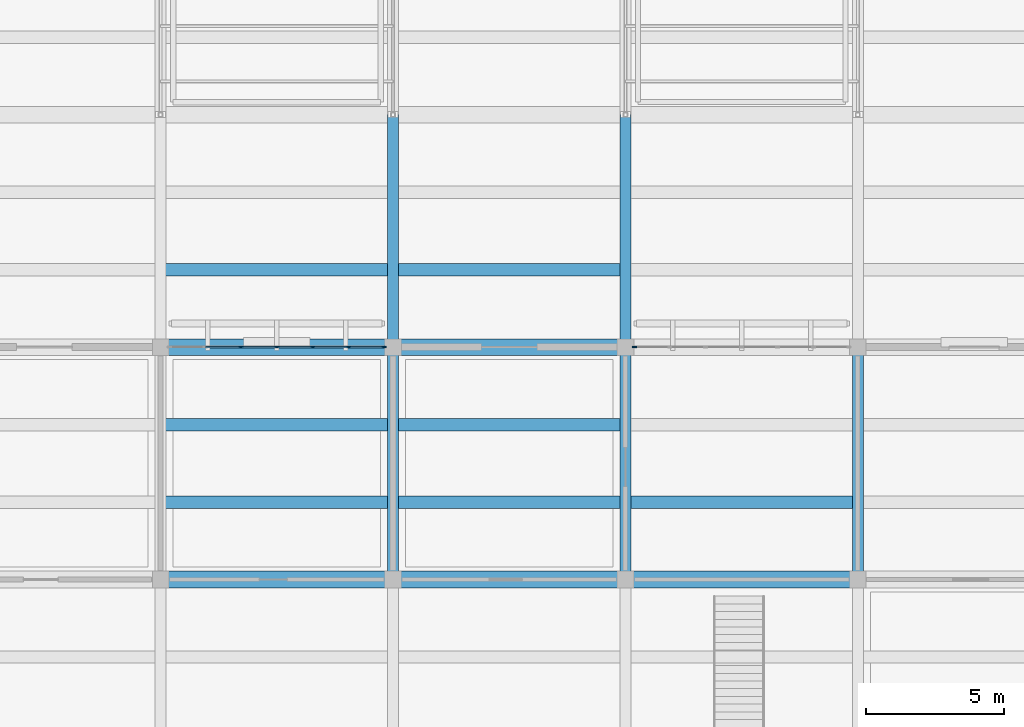
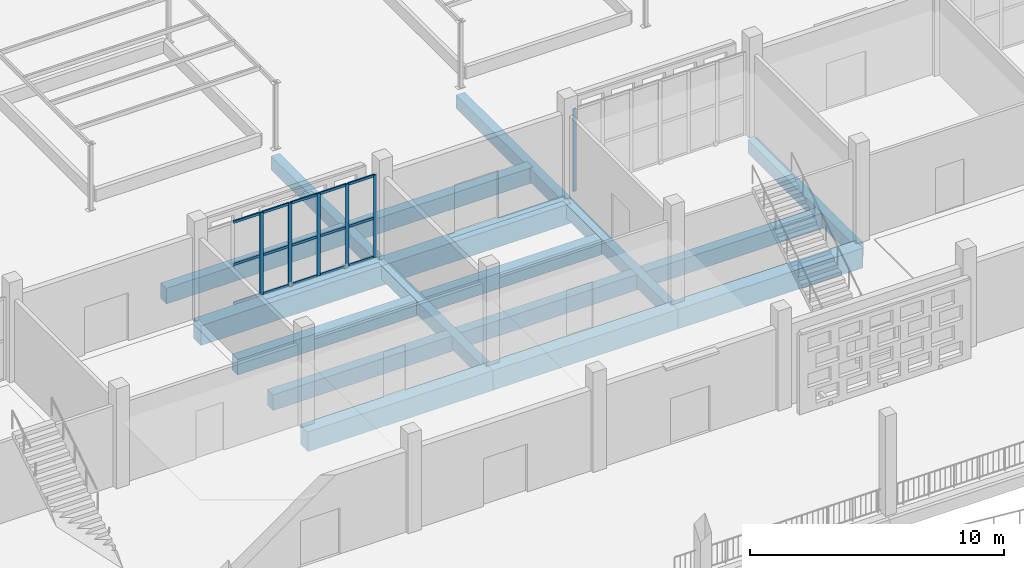
# One storey, part 15 of 129: 21 members, 17 beams, 2 elements without a shape of their own.
"""IFC4 building model written with IfcOpenShell, lengths in metres."""

from ifc_helpers import new_model, si_unit, direction, frame, origin, origin_2d, place, context, subcontext, project, spatial, rectangle, extrude, material, layer, layer_set, material_profile, profile_set, type_object, element, aggregate, save


model = new_model("IFC4")

# Units and contexts
model_context = context("Model", 3, precision=1e-05, world=origin(), true_north=direction((0.0, 1.0)))
body_context = subcontext(model_context, "Body", "Model", "MODEL_VIEW")
ifc_project = project(units=[si_unit("LENGTHUNIT", "METRE"), si_unit("AREAUNIT", "SQUARE_METRE"), si_unit("VOLUMEUNIT", "CUBIC_METRE"), si_unit("PLANEANGLEUNIT", "RADIAN"), si_unit("MASSUNIT", "GRAM", prefix="KILO")], contexts=[model_context])

# Site, building, storey
site_placement = place(None, origin())
site = spatial("IfcSite", under=ifc_project, at=site_placement, CompositionType="ELEMENT")
building_placement = place(site_placement, origin())
building = spatial("IfcBuilding", under=site, at=building_placement, Name="Varnapada Polytechnic", CompositionType="ELEMENT")
storey_placement = place(building_placement, origin())
storey = spatial("IfcBuildingStorey", under=building, at=storey_placement, Name="L00", CompositionType="ELEMENT", Elevation=0.0)

# Beams
ifc_material_1 = material(Name="Concrete C40/50", Category="concrete")
ifc_material_profile_1 = material_profile(ifc_material_1, rectangle(XDim=0.449951171875, YDim=0.75, at=origin_2d()), Name="RC 450x750")
ifc_profile_set_1 = profile_set([ifc_material_profile_1], Name="Concrete C40/50")
beam_type_1 = type_object("IfcBeamType", Name="Basement/podium secondary beam BB-01 (RC 450x750)", PredefinedType="BEAM", material=ifc_profile_set_1)
for number, where, z_axis, x_axis, name in (
    (1, (92.47998046875, 36.39990234375, -0.675048828125), (1.0, 0.0, 0.0), (0.0, 1.0, 0.0), "L00 floor joist 12/5.1"),
    (2, (92.47998046875, 39.199951171875, -0.675048828125), (1.0, 0.0, 0.0), (0.0, 1.0, 0.0), "L00 floor joist 12/5.2"),
    (3, (92.47998046875, 44.800048828125, -0.655029296875), (1.0, 0.0, 0.0), (0.0, 1.0, 0.0), "L00 floor joist 12/6.1"),
):
    element("IfcBeam", number, at=place(storey_placement, frame(where, z_axis=z_axis, x_axis=x_axis)), inside=storey, type_object=beam_type_1, Name=name, PredefinedType="BEAM", context=body_context, shape_type="SweptSolid", body=[
        extrude(rectangle(XDim=0.449951171875, YDim=0.75, at=origin_2d()), origin(), (0.0, 0.0, 1.0), 8.239990234375),
    ])
for number, where, z_axis, x_axis, name in (
    (4, (100.8798828125, 36.39990234375, -0.675048828125), (1.0, 0.0, 0.0), (0.0, 1.0, 0.0), "L00 floor joist 13/5.1"),
    (5, (100.8798828125, 39.199951171875, -0.675048828125), (1.0, 0.0, 0.0), (0.0, 1.0, 0.0), "L00 floor joist 13/5.2"),
    (6, (100.8798828125, 44.800048828125, -0.655029296875), (1.0, 0.0, 0.0), (0.0, 1.0, 0.0), "L00 floor joist 13/6.1"),
):
    element("IfcBeam", number, at=place(storey_placement, frame(where, z_axis=z_axis, x_axis=x_axis)), inside=storey, type_object=beam_type_1, Name=name, PredefinedType="BEAM", context=body_context, shape_type="SweptSolid", body=[
        extrude(rectangle(XDim=0.449951171875, YDim=0.75, at=origin_2d()), origin(), (0.0, 0.0, 1.0), 8.240234375),
    ])
beam_1_placement = place(storey_placement, frame((109.280029296875, 36.39990234375, -0.675048828125), z_axis=(1.0, 0.0, 0.0), x_axis=(0.0, 1.0, 0.0)))
element("IfcBeam", 7, at=beam_1_placement, inside=storey, type_object=beam_type_1, Name="L00 floor joist 14/5.1", PredefinedType="BEAM", context=body_context, shape_type="SweptSolid", body=[
    extrude(rectangle(XDim=0.449951171875, YDim=0.75, at=origin_2d()), origin(), (0.0, 0.0, 1.0), 8.239990234375),
])

# Curtain wall, members
ifc_material_2 = material(Name="Double low-E laminated glass", Category="glass")
ifc_layer = layer(ifc_material_2, 0.159912109375)
ifc_layer_set = layer_set([ifc_layer], Name="Double low-E laminated glass")
curtain_wall_type = type_object("IfcCurtainWallType", Name="Curtain Wall CW-01", PredefinedType="NOTDEFINED", material=ifc_layer_set)
curtain_wall_1_placement = place(storey_placement, origin())
curtain_wall_1 = element("IfcCurtainWall", 8, at=curtain_wall_1_placement, inside=storey, type_object=curtain_wall_type, Name="L00 unitised curtain wall CW-01 (10)", PredefinedType="NOTDEFINED")
ifc_material_3 = material(Name="Anodised aluminium", Category="aluminium")
ifc_material_profile_2 = material_profile(ifc_material_3, rectangle(XDim=0.06005859375, YDim=0.159912109375, at=origin_2d()), Name="ALU M60x160")
ifc_profile_set_2 = profile_set([ifc_material_profile_2], Name="Anodised aluminium")
member_type_1 = type_object("IfcMemberType", Name="Mullion M-01", PredefinedType="MULLION", material=ifc_profile_set_2)
member_1_placement = place(storey_placement, frame((95.300048828125, 42.0, 0.0), z_axis=(0.0, 0.0, 1.0), x_axis=(0.0, 1.0, 0.0)))
member_1 = element("IfcMember", 9, at=member_1_placement, type_object=member_type_1, Name="CW-01 mullion 3", PredefinedType="MULLION", context=body_context, shape_type="SweptSolid", body=[
    extrude(rectangle(XDim=0.06005859375, YDim=0.159912109375, at=origin_2d()), origin(), (0.0, 0.0, 1.0), 3.9599609375),
])
member_2_placement = place(storey_placement, frame((96.60009765625, 42.0, 0.0), z_axis=(0.0, 0.0, 1.0), x_axis=(0.0, 1.0, 0.0)))
member_2 = element("IfcMember", 10, at=member_2_placement, type_object=member_type_1, Name="CW-01 mullion 4", PredefinedType="MULLION", context=body_context, shape_type="SweptSolid", body=[
    extrude(rectangle(XDim=0.06005859375, YDim=0.159912109375, at=origin_2d()), origin(), (0.0, 0.0, 1.0), 3.9599609375),
])
member_3_placement = place(storey_placement, frame((97.89990234375, 42.0, 0.0), z_axis=(0.0, 0.0, 1.0), x_axis=(0.0, 1.0, 0.0)))
member_3 = element("IfcMember", 11, at=member_3_placement, type_object=member_type_1, Name="CW-01 mullion 5", PredefinedType="MULLION", context=body_context, shape_type="SweptSolid", body=[
    extrude(rectangle(XDim=0.06005859375, YDim=0.159912109375, at=origin_2d()), origin(), (0.0, 0.0, 1.0), 3.9599609375),
])
member_4_placement = place(storey_placement, frame((99.199951171875, 42.0, 0.0), z_axis=(0.0, 0.0, 1.0), x_axis=(0.0, 1.0, 0.0)))
member_4 = element("IfcMember", 12, at=member_4_placement, type_object=member_type_1, Name="CW-01 mullion 6", PredefinedType="MULLION", context=body_context, shape_type="SweptSolid", body=[
    extrude(rectangle(XDim=0.06005859375, YDim=0.159912109375, at=origin_2d()), origin(), (0.0, 0.0, 1.0), 3.9599609375),
])
member_5_placement = place(storey_placement, frame((100.469970703125, 42.0, 0.0), z_axis=(0.0, 0.0, 1.0), x_axis=(0.0, 1.0, 0.0)))
member_5 = element("IfcMember", 13, at=member_5_placement, type_object=member_type_1, Name="CW-01 mullion 7", PredefinedType="MULLION", context=body_context, shape_type="SweptSolid", body=[
    extrude(rectangle(XDim=0.06005859375, YDim=0.159912109375, at=origin_2d()), origin(), (0.0, 0.0, 1.0), 3.9599609375),
])

# Curtain wall, member
curtain_wall_2_placement = place(storey_placement, origin())
curtain_wall_2 = element("IfcCurtainWall", 14, at=curtain_wall_2_placement, inside=storey, type_object=curtain_wall_type, Name="L00 unitised curtain wall CW-01 (12)", PredefinedType="NOTDEFINED")
member_6_placement = place(storey_placement, frame((109.530029296875, 42.0, 0.0), z_axis=(0.0, 0.0, 1.0), x_axis=(0.0, 1.0, 0.0)))
member_6 = element("IfcMember", 15, at=member_6_placement, type_object=member_type_1, Name="CW-01 mullion 1", PredefinedType="MULLION", context=body_context, shape_type="SweptSolid", body=[
    extrude(rectangle(XDim=0.06005859375, YDim=0.159912109375, at=origin_2d()), origin(), (0.0, 0.0, 1.0), 3.9599609375),
])
aggregate(curtain_wall_2, [member_6])

# Beams
ifc_material_profile_3 = material_profile(ifc_material_1, rectangle(XDim=0.39990234375, YDim=0.64990234375, at=origin_2d()), Name="RC 400x650")
ifc_profile_set_3 = profile_set([ifc_material_profile_3], Name="Concrete C40/50")
beam_type_2 = type_object("IfcBeamType", Name="Podium framing beam BB-02 (RC 400x650)", PredefinedType="BEAM", material=ifc_profile_set_3)
for number, where, z_axis, x_axis, name in (
    (16, (100.800048828125, 33.60009765625, -0.625), (0.0, 1.0, 0.0), (-1.0, 0.0, 0.0), "L00 beam Y 5-6 at X13"),
    (17, (100.800048828125, 42.0, -0.625), (0.0, 1.0, 0.0), (-1.0, 0.0, 0.0), "L00 beam Y 6-7 at X13"),
    (18, (109.199951171875, 33.60009765625, -0.625), (0.0, 1.0, 0.0), (-1.0, 0.0, 0.0), "L00 beam Y 5-6 at X14"),
    (19, (109.199951171875, 42.0, -0.625), (0.0, 1.0, 0.0), (-1.0, 0.0, 0.0), "L00 beam Y 6-7 at X14"),
    (20, (117.60009765625, 33.60009765625, -0.625), (0.0, 1.0, 0.0), (-1.0, 0.0, 0.0), "L00 beam Y 5-6 at X15"),
):
    element("IfcBeam", number, at=place(storey_placement, frame(where, z_axis=z_axis, x_axis=x_axis)), inside=storey, type_object=beam_type_2, Name=name, PredefinedType="BEAM", context=body_context, shape_type="SweptSolid", body=[
        extrude(rectangle(XDim=0.39990234375, YDim=0.64990234375, at=origin_2d()), origin(), (0.0, 0.0, 1.0), 8.39990234375),
    ])

# Member
ifc_material_profile_4 = material_profile(ifc_material_3, rectangle(XDim=0.06005859375, YDim=0.1201171875, at=origin_2d()), Name="ALU T60x120")
ifc_profile_set_4 = profile_set([ifc_material_profile_4], Name="Anodised aluminium")
member_type_2 = type_object("IfcMemberType", Name="Transom T-01", PredefinedType="USERDEFINED", material=ifc_profile_set_4)
member_7_placement = place(storey_placement, frame((94.030029296875, 42.0, 0.030029296875), z_axis=(1.0, 0.0, 0.0), x_axis=(0.0, 1.0, 0.0)))
member_7 = element("IfcMember", 21, at=member_7_placement, type_object=member_type_2, Name="CW-01 transom 2.1", ObjectType="TRANSOM", PredefinedType="USERDEFINED", context=body_context, shape_type="SweptSolid", body=[
    extrude(rectangle(XDim=0.06005859375, YDim=0.1201171875, at=origin_2d()), origin(), (0.0, 0.0, 1.0), 1.239990234375),
])

member_8_placement = place(storey_placement, frame((94.030029296875, 42.0, 1.90087890625), z_axis=(1.0, 0.0, 0.0), x_axis=(0.0, 1.0, 0.0)))
member_8 = element("IfcMember", 22, at=member_8_placement, type_object=member_type_2, Name="CW-01 transom 2.2", ObjectType="TRANSOM", PredefinedType="USERDEFINED", context=body_context, shape_type="SweptSolid", body=[
    extrude(rectangle(XDim=0.06005859375, YDim=0.1201171875, at=origin_2d()), origin(), (0.0, 0.0, 1.0), 1.239990234375),
])

member_9_placement = place(storey_placement, frame((94.030029296875, 42.0, 3.929931640625), z_axis=(1.0, 0.0, 0.0), x_axis=(0.0, 1.0, 0.0)))
member_9 = element("IfcMember", 23, at=member_9_placement, type_object=member_type_2, Name="CW-01 transom 2.3", ObjectType="TRANSOM", PredefinedType="USERDEFINED", context=body_context, shape_type="SweptSolid", body=[
    extrude(rectangle(XDim=0.06005859375, YDim=0.1201171875, at=origin_2d()), origin(), (0.0, 0.0, 1.0), 1.239990234375),
])

member_10_placement = place(storey_placement, frame((95.330078125, 42.0, 0.030029296875), z_axis=(1.0, 0.0, 0.0), x_axis=(0.0, 1.0, 0.0)))
member_10 = element("IfcMember", 24, at=member_10_placement, type_object=member_type_2, Name="CW-01 transom 3.1", ObjectType="TRANSOM", PredefinedType="USERDEFINED", context=body_context, shape_type="SweptSolid", body=[
    extrude(rectangle(XDim=0.06005859375, YDim=0.1201171875, at=origin_2d()), origin(), (0.0, 0.0, 1.0), 1.239990234375),
])

member_11_placement = place(storey_placement, frame((95.330078125, 42.0, 1.90087890625), z_axis=(1.0, 0.0, 0.0), x_axis=(0.0, 1.0, 0.0)))
member_11 = element("IfcMember", 25, at=member_11_placement, type_object=member_type_2, Name="CW-01 transom 3.2", ObjectType="TRANSOM", PredefinedType="USERDEFINED", context=body_context, shape_type="SweptSolid", body=[
    extrude(rectangle(XDim=0.06005859375, YDim=0.1201171875, at=origin_2d()), origin(), (0.0, 0.0, 1.0), 1.239990234375),
])

member_12_placement = place(storey_placement, frame((95.330078125, 42.0, 3.929931640625), z_axis=(1.0, 0.0, 0.0), x_axis=(0.0, 1.0, 0.0)))
member_12 = element("IfcMember", 26, at=member_12_placement, type_object=member_type_2, Name="CW-01 transom 3.3", ObjectType="TRANSOM", PredefinedType="USERDEFINED", context=body_context, shape_type="SweptSolid", body=[
    extrude(rectangle(XDim=0.06005859375, YDim=0.1201171875, at=origin_2d()), origin(), (0.0, 0.0, 1.0), 1.239990234375),
])

member_13_placement = place(storey_placement, frame((96.6298828125, 42.0, 0.030029296875), z_axis=(1.0, 0.0, 0.0), x_axis=(0.0, 1.0, 0.0)))
member_13 = element("IfcMember", 27, at=member_13_placement, type_object=member_type_2, Name="CW-01 transom 4.1", ObjectType="TRANSOM", PredefinedType="USERDEFINED", context=body_context, shape_type="SweptSolid", body=[
    extrude(rectangle(XDim=0.06005859375, YDim=0.1201171875, at=origin_2d()), origin(), (0.0, 0.0, 1.0), 1.240234375),
])

member_14_placement = place(storey_placement, frame((96.6298828125, 42.0, 1.90087890625), z_axis=(1.0, 0.0, 0.0), x_axis=(0.0, 1.0, 0.0)))
member_14 = element("IfcMember", 28, at=member_14_placement, type_object=member_type_2, Name="CW-01 transom 4.2", ObjectType="TRANSOM", PredefinedType="USERDEFINED", context=body_context, shape_type="SweptSolid", body=[
    extrude(rectangle(XDim=0.06005859375, YDim=0.1201171875, at=origin_2d()), origin(), (0.0, 0.0, 1.0), 1.240234375),
])

member_15_placement = place(storey_placement, frame((96.6298828125, 42.0, 3.929931640625), z_axis=(1.0, 0.0, 0.0), x_axis=(0.0, 1.0, 0.0)))
member_15 = element("IfcMember", 29, at=member_15_placement, type_object=member_type_2, Name="CW-01 transom 4.3", ObjectType="TRANSOM", PredefinedType="USERDEFINED", context=body_context, shape_type="SweptSolid", body=[
    extrude(rectangle(XDim=0.06005859375, YDim=0.1201171875, at=origin_2d()), origin(), (0.0, 0.0, 1.0), 1.240234375),
])

member_16_placement = place(storey_placement, frame((97.929931640625, 42.0, 0.030029296875), z_axis=(1.0, 0.0, 0.0), x_axis=(0.0, 1.0, 0.0)))
member_16 = element("IfcMember", 30, at=member_16_placement, type_object=member_type_2, Name="CW-01 transom 5.1", ObjectType="TRANSOM", PredefinedType="USERDEFINED", context=body_context, shape_type="SweptSolid", body=[
    extrude(rectangle(XDim=0.06005859375, YDim=0.1201171875, at=origin_2d()), origin(), (0.0, 0.0, 1.0), 1.239990234375),
])

member_17_placement = place(storey_placement, frame((97.929931640625, 42.0, 1.90087890625), z_axis=(1.0, 0.0, 0.0), x_axis=(0.0, 1.0, 0.0)))
member_17 = element("IfcMember", 31, at=member_17_placement, type_object=member_type_2, Name="CW-01 transom 5.2", ObjectType="TRANSOM", PredefinedType="USERDEFINED", context=body_context, shape_type="SweptSolid", body=[
    extrude(rectangle(XDim=0.06005859375, YDim=0.1201171875, at=origin_2d()), origin(), (0.0, 0.0, 1.0), 1.239990234375),
])

member_18_placement = place(storey_placement, frame((97.929931640625, 42.0, 3.929931640625), z_axis=(1.0, 0.0, 0.0), x_axis=(0.0, 1.0, 0.0)))
member_18 = element("IfcMember", 32, at=member_18_placement, type_object=member_type_2, Name="CW-01 transom 5.3", ObjectType="TRANSOM", PredefinedType="USERDEFINED", context=body_context, shape_type="SweptSolid", body=[
    extrude(rectangle(XDim=0.06005859375, YDim=0.1201171875, at=origin_2d()), origin(), (0.0, 0.0, 1.0), 1.239990234375),
])

member_19_placement = place(storey_placement, frame((99.22998046875, 42.0, 0.030029296875), z_axis=(1.0, 0.0, 0.0), x_axis=(0.0, 1.0, 0.0)))
member_19 = element("IfcMember", 33, at=member_19_placement, type_object=member_type_2, Name="CW-01 transom 6.1", ObjectType="TRANSOM", PredefinedType="USERDEFINED", context=body_context, shape_type="SweptSolid", body=[
    extrude(rectangle(XDim=0.06005859375, YDim=0.1201171875, at=origin_2d()), origin(), (0.0, 0.0, 1.0), 1.2099609375),
])

member_20_placement = place(storey_placement, frame((99.22998046875, 42.0, 1.90087890625), z_axis=(1.0, 0.0, 0.0), x_axis=(0.0, 1.0, 0.0)))
member_20 = element("IfcMember", 34, at=member_20_placement, type_object=member_type_2, Name="CW-01 transom 6.2", ObjectType="TRANSOM", PredefinedType="USERDEFINED", context=body_context, shape_type="SweptSolid", body=[
    extrude(rectangle(XDim=0.06005859375, YDim=0.1201171875, at=origin_2d()), origin(), (0.0, 0.0, 1.0), 1.2099609375),
])

member_21_placement = place(storey_placement, frame((99.22998046875, 42.0, 3.929931640625), z_axis=(1.0, 0.0, 0.0), x_axis=(0.0, 1.0, 0.0)))
member_21 = element("IfcMember", 35, at=member_21_placement, type_object=member_type_2, Name="CW-01 transom 6.3", ObjectType="TRANSOM", PredefinedType="USERDEFINED", context=body_context, shape_type="SweptSolid", body=[
    extrude(rectangle(XDim=0.06005859375, YDim=0.1201171875, at=origin_2d()), origin(), (0.0, 0.0, 1.0), 1.2099609375),
])

aggregate(curtain_wall_1, [member_1, member_2, member_3, member_4, member_5, member_7, member_8, member_9, member_10, member_11, member_12, member_13, member_14, member_15, member_16, member_17, member_18, member_19, member_20, member_21])

# Beams
ifc_material_profile_5 = material_profile(ifc_material_1, rectangle(XDim=0.60009765625, YDim=0.949951171875, at=origin_2d()), Name="RC 600x950")
ifc_profile_set_5 = profile_set([ifc_material_profile_5], Name="Concrete C40/50")
beam_type_3 = type_object("IfcBeamType", Name="Workshop podium heavy girder BG-03 (RC 600x950)", PredefinedType="T_BEAM", material=ifc_profile_set_5)
for number, where, z_axis, x_axis, name in (
    (36, (92.39990234375, 33.60009765625, -0.77490234375), (1.0, 0.0, 0.0), (0.0, 1.0, 0.0), "L00 beam X 12-13 at Y5"),
    (37, (92.39990234375, 42.0, -0.77490234375), (1.0, 0.0, 0.0), (0.0, 1.0, 0.0), "L00 beam X 12-13 at Y6"),
):
    element("IfcBeam", number, at=place(storey_placement, frame(where, z_axis=z_axis, x_axis=x_axis)), inside=storey, type_object=beam_type_3, Name=name, PredefinedType="T_BEAM", context=body_context, shape_type="SweptSolid", body=[
        extrude(rectangle(XDim=0.60009765625, YDim=0.949951171875, at=origin_2d()), origin(), (0.0, 0.0, 1.0), 8.400146484375),
    ])
for number, where, z_axis, x_axis, name in (
    (38, (100.800048828125, 33.60009765625, -0.77490234375), (1.0, 0.0, 0.0), (0.0, 1.0, 0.0), "L00 beam X 13-14 at Y5"),
    (39, (100.800048828125, 42.0, -0.77490234375), (1.0, 0.0, 0.0), (0.0, 1.0, 0.0), "L00 beam X 13-14 at Y6"),
):
    element("IfcBeam", number, at=place(storey_placement, frame(where, z_axis=z_axis, x_axis=x_axis)), inside=storey, type_object=beam_type_3, Name=name, PredefinedType="T_BEAM", context=body_context, shape_type="SweptSolid", body=[
        extrude(rectangle(XDim=0.60009765625, YDim=0.949951171875, at=origin_2d()), origin(), (0.0, 0.0, 1.0), 8.39990234375),
    ])
beam_2_placement = place(storey_placement, frame((109.199951171875, 33.60009765625, -0.77490234375), z_axis=(1.0, 0.0, 0.0), x_axis=(0.0, 1.0, 0.0)))
element("IfcBeam", 40, at=beam_2_placement, inside=storey, type_object=beam_type_3, Name="L00 beam X 14-15 at Y5", PredefinedType="T_BEAM", context=body_context, shape_type="SweptSolid", body=[
    extrude(rectangle(XDim=0.60009765625, YDim=0.949951171875, at=origin_2d()), origin(), (0.0, 0.0, 1.0), 8.400146484375),
])

save(model, "model.ifc")
